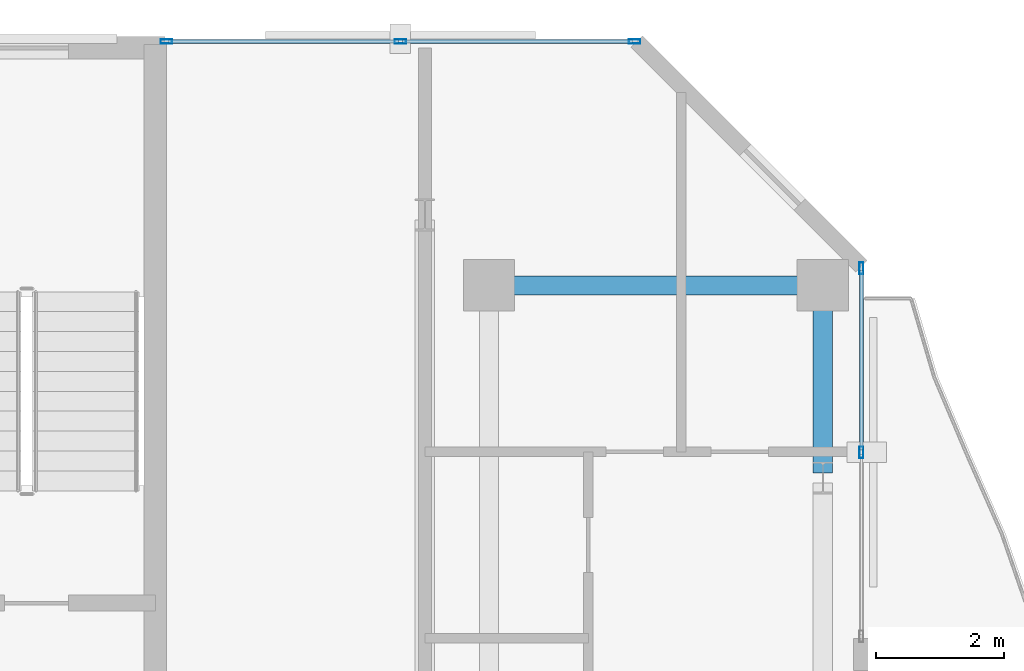
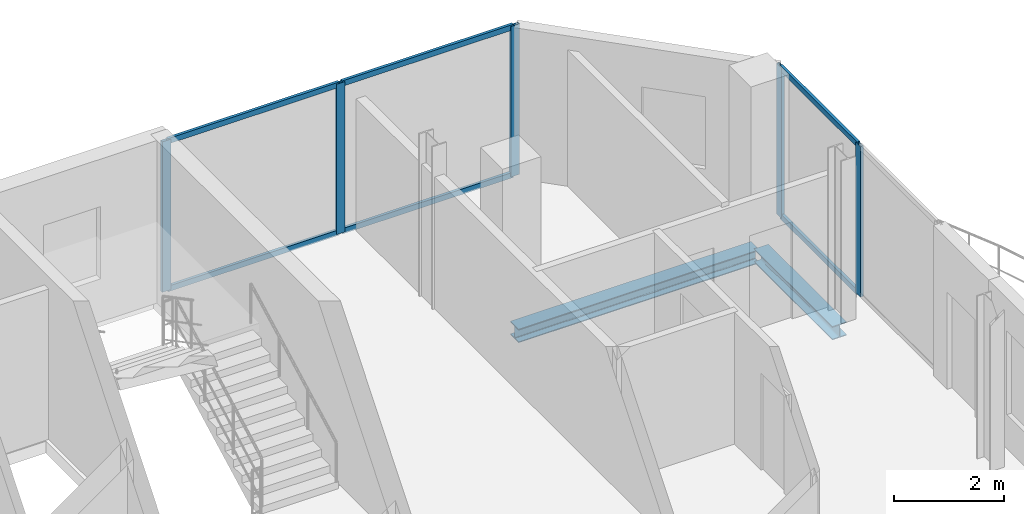
# One storey, part 16 of 23: 11 members, 2 beams, 2 elements without a shape of their own.
"""IFC4 building model written with IfcOpenShell, lengths in metres."""

from ifc_helpers import new_model, si_unit, direction, frame, origin, origin_2d, place, context, subcontext, project, spatial, hollow_rectangle, i_section, extrude, material, layer, layer_set, material_profile, profile_set, type_object, element, aggregate, save


model = new_model("IFC4")

# Units and contexts
model_context = context("Model", 3, precision=1e-05, world=origin(), true_north=direction((0.0, 1.0)))
body_context = subcontext(model_context, "Body", "Model", "MODEL_VIEW")
ifc_project = project(units=[si_unit("LENGTHUNIT", "METRE"), si_unit("AREAUNIT", "SQUARE_METRE"), si_unit("VOLUMEUNIT", "CUBIC_METRE"), si_unit("PLANEANGLEUNIT", "RADIAN"), si_unit("MASSUNIT", "GRAM", prefix="KILO")], contexts=[model_context])

# Site, building, storey
site_placement = place(None, origin())
site = spatial("IfcSite", under=ifc_project, at=site_placement, CompositionType="ELEMENT")
building_placement = place(site_placement, origin())
building = spatial("IfcBuilding", under=site, at=building_placement, Name="Catumbela Crestline Tower", CompositionType="ELEMENT")
storey_placement = place(building_placement, frame((0.0, 0.0, 183.0)))
storey = spatial("IfcBuildingStorey", under=building, at=storey_placement, Name="L47", CompositionType="ELEMENT", Elevation=183.0)

# Curtain wall, members
ifc_material_1 = material(Name="Aluminium alloy AW-6060-T66", Category="aluminium")
ifc_layer = layer(ifc_material_1, 0.18, Name="Aluminium alloy AW-6060-T66")
ifc_layer_set = layer_set([ifc_layer], Name="Aluminium alloy AW-6060-T66")
curtain_wall_type = type_object("IfcCurtainWallType", Name="CWU-Z3", PredefinedType="USERDEFINED", material=ifc_layer_set)
curtain_wall_1_placement = place(storey_placement, origin())
curtain_wall_1 = element("IfcCurtainWall", 1, at=curtain_wall_1_placement, inside=storey, type_object=curtain_wall_type, Name="L47 Unitised Curtain Wall CW-L47-E5S2", ObjectType="UNITISED", PredefinedType="USERDEFINED")
ifc_material_profile_1 = material_profile(ifc_material_1, hollow_rectangle(XDim=0.065, YDim=0.18, WallThickness=0.004, at=origin_2d()), Name="ALU 180x65x4")
ifc_profile_set_1 = profile_set([ifc_material_profile_1], Name="Aluminium alloy AW-6060-T66")
member_type_1 = type_object("IfcMemberType", Name="MUL-180X65", PredefinedType="MULLION", material=ifc_profile_set_1)
member_1_placement = place(storey_placement, frame((51.0, 36.6, 0.0), z_axis=(0.0, 0.0, 1.0), x_axis=(-1.0, 0.0, 0.0)))
member_1 = element("IfcMember", 2, at=member_1_placement, type_object=member_type_1, Name="CWU-Z3 mullion 2", PredefinedType="MULLION", context=body_context, shape_type="SweptSolid", body=[
    extrude(hollow_rectangle(XDim=0.065, YDim=0.18, WallThickness=0.004, at=origin_2d()), origin(), (0.0, 0.0, 1.0), 3.33),
])
member_2_placement = place(storey_placement, frame((51.0, 39.4675, 0.0), z_axis=(0.0, 0.0, 1.0), x_axis=(-1.0, 0.0, 0.0)))
member_2 = element("IfcMember", 3, at=member_2_placement, type_object=member_type_1, Name="CWU-Z3 mullion 3", PredefinedType="MULLION", context=body_context, shape_type="SweptSolid", body=[
    extrude(hollow_rectangle(XDim=0.065, YDim=0.18, WallThickness=0.004, at=origin_2d()), origin(), (0.0, 0.0, 1.0), 3.33),
])

curtain_wall_2_placement = place(storey_placement, origin())
curtain_wall_2 = element("IfcCurtainWall", 4, at=curtain_wall_2_placement, inside=storey, type_object=curtain_wall_type, Name="L47 Unitised Curtain Wall CW-L47-E7S1", ObjectType="UNITISED", PredefinedType="USERDEFINED")
member_3_placement = place(storey_placement, frame((47.4675, 43.0, 0.0), z_axis=(0.0, 0.0, 1.0), x_axis=(0.0, -1.0, 0.0)))
member_3 = element("IfcMember", 5, at=member_3_placement, type_object=member_type_1, Name="CWU-Z3 mullion 1", PredefinedType="MULLION", context=body_context, shape_type="SweptSolid", body=[
    extrude(hollow_rectangle(XDim=0.065, YDim=0.18, WallThickness=0.004, at=origin_2d()), origin(), (0.0, 0.0, 1.0), 3.33),
])
member_4_placement = place(storey_placement, frame((43.82, 43.0, 0.0), z_axis=(0.0, 0.0, 1.0), x_axis=(0.0, -1.0, 0.0)))
member_4 = element("IfcMember", 6, at=member_4_placement, type_object=member_type_1, Name="CWU-Z3 mullion 2", PredefinedType="MULLION", context=body_context, shape_type="SweptSolid", body=[
    extrude(hollow_rectangle(XDim=0.065, YDim=0.18, WallThickness=0.004, at=origin_2d()), origin(), (0.0, 0.0, 1.0), 3.33),
])
member_5_placement = place(storey_placement, frame((40.1725, 43.0, 0.0), z_axis=(0.0, 0.0, 1.0), x_axis=(0.0, -1.0, 0.0)))
member_5 = element("IfcMember", 7, at=member_5_placement, type_object=member_type_1, Name="CWU-Z3 mullion 3", PredefinedType="MULLION", context=body_context, shape_type="SweptSolid", body=[
    extrude(hollow_rectangle(XDim=0.065, YDim=0.18, WallThickness=0.004, at=origin_2d()), origin(), (0.0, 0.0, 1.0), 3.33),
])

# Beams
ifc_material_2 = material(Name="Structural steel S355J2", Category="steel")
ifc_material_profile_2 = material_profile(ifc_material_2, i_section(OverallWidth=0.3, OverallDepth=0.3, WebThickness=0.011, FlangeThickness=0.019, FilletRadius=0.027, at=origin_2d()), Name="HEB 300")
ifc_profile_set_2 = profile_set([ifc_material_profile_2], Name="Structural steel S355J2")
beam_type = type_object("IfcBeamType", Name="BS-HEB300", PredefinedType="SPANDREL", material=ifc_profile_set_2)
beam_1_placement = place(storey_placement, frame((45.28, 39.2, -0.41), z_axis=(1.0, 0.0, 0.0), x_axis=(0.0, 1.0, 0.0)))
element("IfcBeam", 8, at=beam_1_placement, inside=storey, type_object=beam_type, Name="L47 Spandrel SP-L47-N13", PredefinedType="SPANDREL", context=body_context, shape_type="SweptSolid", body=[
    extrude(i_section(OverallWidth=0.3, OverallDepth=0.3, WebThickness=0.011, FlangeThickness=0.019, FilletRadius=0.027, at=origin_2d()), origin(), (0.0, 0.0, 1.0), 5.04),
])
beam_2_placement = place(storey_placement, frame((50.4, 36.28, -0.41), z_axis=(0.0, 1.0, 0.0), x_axis=(-1.0, 0.0, 0.0)))
element("IfcBeam", 9, at=beam_2_placement, inside=storey, type_object=beam_type, Name="L47 Spandrel SP-L47-SN25", PredefinedType="SPANDREL", context=body_context, shape_type="SweptSolid", body=[
    extrude(i_section(OverallWidth=0.3, OverallDepth=0.3, WebThickness=0.011, FlangeThickness=0.019, FilletRadius=0.027, at=origin_2d()), origin(), (0.0, 0.0, 1.0), 2.84),
])

# Member
ifc_material_profile_3 = material_profile(ifc_material_1, hollow_rectangle(XDim=0.06, YDim=0.12, WallThickness=0.0035, at=origin_2d()), Name="ALU 120x60x3.5")
ifc_profile_set_3 = profile_set([ifc_material_profile_3], Name="Aluminium alloy AW-6060-T66")
member_type_2 = type_object("IfcMemberType", Name="TRN-120X60", PredefinedType="USERDEFINED", material=ifc_profile_set_3)
member_6_placement = place(storey_placement, frame((51.0, 36.6325, 0.03), z_axis=(0.0, 1.0, 0.0), x_axis=(-1.0, 0.0, 0.0)))
member_6 = element("IfcMember", 10, at=member_6_placement, type_object=member_type_2, Name="CWU-Z3 transom 2.1", ObjectType="TRANSOM", PredefinedType="USERDEFINED", context=body_context, shape_type="SweptSolid", body=[
    extrude(hollow_rectangle(XDim=0.06, YDim=0.12, WallThickness=0.0035, at=origin_2d()), origin(), (0.0, 0.0, 1.0), 2.8025),
])

member_7_placement = place(storey_placement, frame((51.0, 36.6325, 3.3), z_axis=(0.0, 1.0, 0.0), x_axis=(-1.0, 0.0, 0.0)))
member_7 = element("IfcMember", 11, at=member_7_placement, type_object=member_type_2, Name="CWU-Z3 transom 2.2", ObjectType="TRANSOM", PredefinedType="USERDEFINED", context=body_context, shape_type="SweptSolid", body=[
    extrude(hollow_rectangle(XDim=0.06, YDim=0.12, WallThickness=0.0035, at=origin_2d()), origin(), (0.0, 0.0, 1.0), 2.8025),
])

aggregate(curtain_wall_1, [member_1, member_2, member_6, member_7])

member_8_placement = place(storey_placement, frame((47.435, 43.0, 0.03), z_axis=(-1.0, 0.0, 0.0), x_axis=(0.0, -1.0, 0.0)))
member_8 = element("IfcMember", 12, at=member_8_placement, type_object=member_type_2, Name="CWU-Z3 transom 1.1", ObjectType="TRANSOM", PredefinedType="USERDEFINED", context=body_context, shape_type="SweptSolid", body=[
    extrude(hollow_rectangle(XDim=0.06, YDim=0.12, WallThickness=0.0035, at=origin_2d()), origin(), (0.0, 0.0, 1.0), 3.5825),
])

member_9_placement = place(storey_placement, frame((47.435, 43.0, 3.3), z_axis=(-1.0, 0.0, 0.0), x_axis=(0.0, -1.0, 0.0)))
member_9 = element("IfcMember", 13, at=member_9_placement, type_object=member_type_2, Name="CWU-Z3 transom 1.2", ObjectType="TRANSOM", PredefinedType="USERDEFINED", context=body_context, shape_type="SweptSolid", body=[
    extrude(hollow_rectangle(XDim=0.06, YDim=0.12, WallThickness=0.0035, at=origin_2d()), origin(), (0.0, 0.0, 1.0), 3.5825),
])

member_10_placement = place(storey_placement, frame((43.7875, 43.0, 0.03), z_axis=(-1.0, 0.0, 0.0), x_axis=(0.0, -1.0, 0.0)))
member_10 = element("IfcMember", 14, at=member_10_placement, type_object=member_type_2, Name="CWU-Z3 transom 2.1", ObjectType="TRANSOM", PredefinedType="USERDEFINED", context=body_context, shape_type="SweptSolid", body=[
    extrude(hollow_rectangle(XDim=0.06, YDim=0.12, WallThickness=0.0035, at=origin_2d()), origin(), (0.0, 0.0, 1.0), 3.5825),
])

member_11_placement = place(storey_placement, frame((43.7875, 43.0, 3.3), z_axis=(-1.0, 0.0, 0.0), x_axis=(0.0, -1.0, 0.0)))
member_11 = element("IfcMember", 15, at=member_11_placement, type_object=member_type_2, Name="CWU-Z3 transom 2.2", ObjectType="TRANSOM", PredefinedType="USERDEFINED", context=body_context, shape_type="SweptSolid", body=[
    extrude(hollow_rectangle(XDim=0.06, YDim=0.12, WallThickness=0.0035, at=origin_2d()), origin(), (0.0, 0.0, 1.0), 3.5825),
])

aggregate(curtain_wall_2, [member_3, member_4, member_5, member_8, member_9, member_10, member_11])

save(model, "model.ifc")
